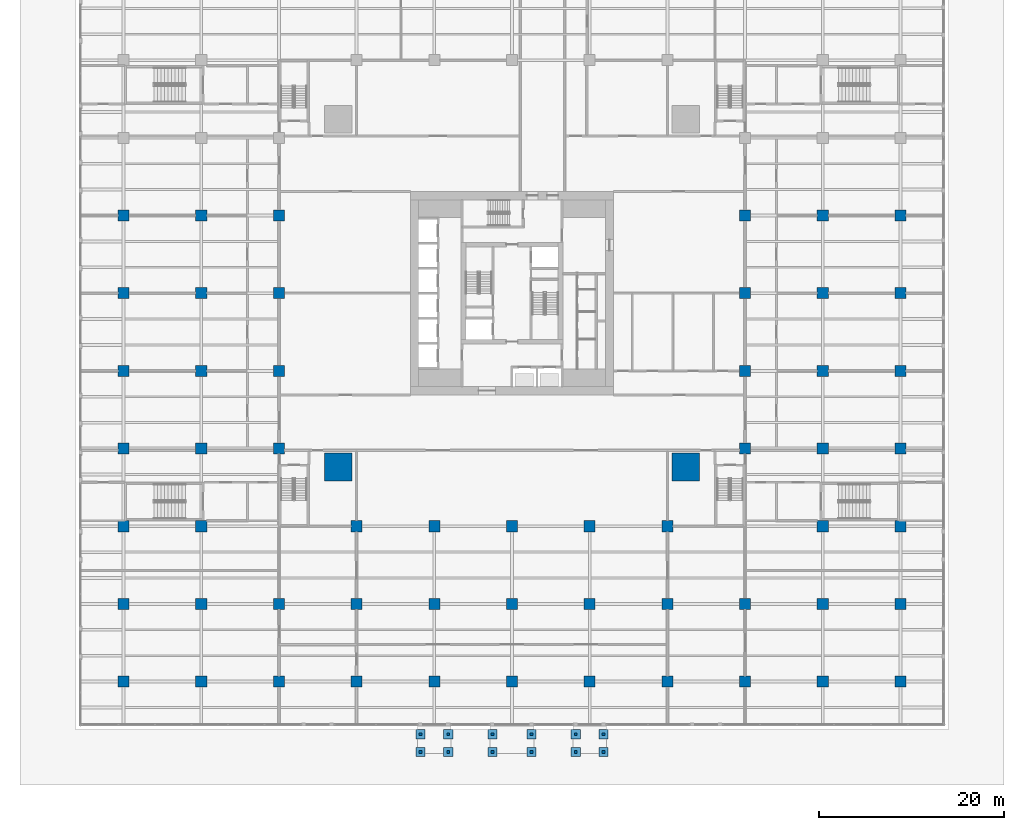
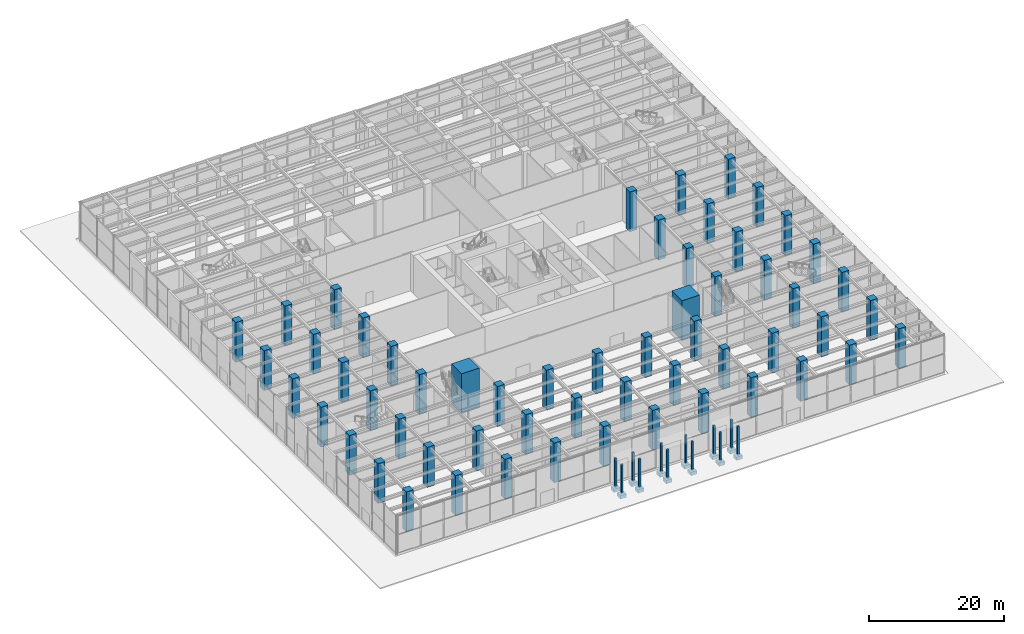
# One storey, part 1 of 43: 69 columns, 12 footings.
"""IFC4 building model written with IfcOpenShell, lengths in metres."""

from ifc_helpers import new_model, si_unit, direction, frame, origin, origin_2d, place, context, subcontext, project, spatial, rectangle, extrude, material, material_profile, profile_set, type_object, element, save


model = new_model("IFC4")

# Units and contexts
model_context = context("Model", 3, precision=1e-05, world=origin(), true_north=direction((0.0, 1.0)))
body_context = subcontext(model_context, "Body", "Model", "MODEL_VIEW")
ifc_project = project(units=[si_unit("LENGTHUNIT", "METRE"), si_unit("AREAUNIT", "SQUARE_METRE"), si_unit("VOLUMEUNIT", "CUBIC_METRE"), si_unit("PLANEANGLEUNIT", "RADIAN"), si_unit("MASSUNIT", "GRAM", prefix="KILO")], contexts=[model_context])

# Site, building, storey
site_placement = place(None, origin())
site = spatial("IfcSite", under=ifc_project, at=site_placement, CompositionType="ELEMENT")
building_placement = place(site_placement, origin())
building = spatial("IfcBuilding", under=site, at=building_placement, Name="Khepri Terraces", CompositionType="ELEMENT")
storey_placement = place(building_placement, origin())
storey = spatial("IfcBuildingStorey", under=building, at=storey_placement, Name="L00", CompositionType="ELEMENT", Elevation=0.0)

# Footings
ifc_material_1 = material(Name="Concrete C45/55", Category="concrete")
footing_type = type_object("IfcFootingType", Name="FTG-CANOPY-PAD-1000", PredefinedType="PAD_FOOTING", material=ifc_material_1)
for number, where, z_axis, x_axis, name in (
    (1, (-9.89990234375, -47.699951171875, -0.800048828125), (0.0, 0.0, 1.0), (1.0, 0.0, 0.0), "Canopy pad footing S"),
    (2, (-9.89990234375, -49.60009765625, -0.800048828125), (0.0, 0.0, 1.0), (1.0, 0.0, 0.0), "Canopy pad footing S"),
    (3, (-6.89990234375, -47.699951171875, -0.800048828125), (0.0, 0.0, 1.0), (1.0, 0.0, 0.0), "Canopy pad footing S"),
    (4, (-6.89990234375, -49.60009765625, -0.800048828125), (0.0, 0.0, 1.0), (1.0, 0.0, 0.0), "Canopy pad footing S"),
    (5, (-2.10009765625, -47.699951171875, -0.800048828125), (0.0, 0.0, 1.0), (1.0, 0.0, 0.0), "Canopy pad footing S"),
    (6, (-2.10009765625, -49.60009765625, -0.800048828125), (0.0, 0.0, 1.0), (1.0, 0.0, 0.0), "Canopy pad footing S"),
    (7, (2.10009765625, -47.699951171875, -0.800048828125), (0.0, 0.0, 1.0), (1.0, 0.0, 0.0), "Canopy pad footing S"),
    (8, (2.10009765625, -49.60009765625, -0.800048828125), (0.0, 0.0, 1.0), (1.0, 0.0, 0.0), "Canopy pad footing S"),
    (9, (6.89990234375, -47.699951171875, -0.800048828125), (0.0, 0.0, 1.0), (1.0, 0.0, 0.0), "Canopy pad footing S"),
    (10, (6.89990234375, -49.60009765625, -0.800048828125), (0.0, 0.0, 1.0), (1.0, 0.0, 0.0), "Canopy pad footing S"),
    (11, (9.89990234375, -47.699951171875, -0.800048828125), (0.0, 0.0, 1.0), (1.0, 0.0, 0.0), "Canopy pad footing S"),
    (12, (9.89990234375, -49.60009765625, -0.800048828125), (0.0, 0.0, 1.0), (1.0, 0.0, 0.0), "Canopy pad footing S"),
):
    element("IfcFooting", number, at=place(storey_placement, frame(where, z_axis=z_axis, x_axis=x_axis)), inside=storey, type_object=footing_type, Name=name, PredefinedType="PAD_FOOTING", context=body_context, shape_type="SweptSolid", body=[
        extrude(rectangle(XDim=1.0, YDim=1.0, at=origin_2d()), origin(), (0.0, 0.0, 1.0), 0.60009765625),
    ])

# Columns
ifc_material_2 = material(Name="Concrete C40/50", Category="concrete")
ifc_material_profile_1 = material_profile(ifc_material_2, rectangle(XDim=0.300048828125, YDim=0.300048828125, at=origin_2d()), Name="Concrete C40/50", Category="concrete")
ifc_profile_set_1 = profile_set([ifc_material_profile_1], Name="Concrete C40/50")
column_type_1 = type_object("IfcColumnType", Name="COL-CANOPY-300", PredefinedType="COLUMN", material=ifc_profile_set_1)
for number, where, z_axis, x_axis, name in (
    (13, (-9.89990234375, -47.699951171875, -0.199951171875), (0.0, 0.0, 1.0), (1.0, 0.0, 0.0), "Podium column canopy S"),
    (14, (-9.89990234375, -49.60009765625, -0.199951171875), (0.0, 0.0, 1.0), (1.0, 0.0, 0.0), "Podium column canopy S"),
    (15, (-6.89990234375, -47.699951171875, -0.199951171875), (0.0, 0.0, 1.0), (1.0, 0.0, 0.0), "Podium column canopy S"),
    (16, (-6.89990234375, -49.60009765625, -0.199951171875), (0.0, 0.0, 1.0), (1.0, 0.0, 0.0), "Podium column canopy S"),
    (17, (-2.10009765625, -47.699951171875, -0.199951171875), (0.0, 0.0, 1.0), (1.0, 0.0, 0.0), "Podium column canopy S"),
    (18, (-2.10009765625, -49.60009765625, -0.199951171875), (0.0, 0.0, 1.0), (1.0, 0.0, 0.0), "Podium column canopy S"),
    (19, (2.10009765625, -47.699951171875, -0.199951171875), (0.0, 0.0, 1.0), (1.0, 0.0, 0.0), "Podium column canopy S"),
    (20, (2.10009765625, -49.60009765625, -0.199951171875), (0.0, 0.0, 1.0), (1.0, 0.0, 0.0), "Podium column canopy S"),
    (21, (6.89990234375, -47.699951171875, -0.199951171875), (0.0, 0.0, 1.0), (1.0, 0.0, 0.0), "Podium column canopy S"),
    (22, (6.89990234375, -49.60009765625, -0.199951171875), (0.0, 0.0, 1.0), (1.0, 0.0, 0.0), "Podium column canopy S"),
    (23, (9.89990234375, -47.699951171875, -0.199951171875), (0.0, 0.0, 1.0), (1.0, 0.0, 0.0), "Podium column canopy S"),
    (24, (9.89990234375, -49.60009765625, -0.199951171875), (0.0, 0.0, 1.0), (1.0, 0.0, 0.0), "Podium column canopy S"),
):
    element("IfcColumn", number, at=place(storey_placement, frame(where, z_axis=z_axis, x_axis=x_axis)), inside=storey, type_object=column_type_1, Name=name, PredefinedType="COLUMN", context=body_context, shape_type="SweptSolid", body=[
        extrude(rectangle(XDim=0.300048828125, YDim=0.300048828125, at=origin_2d()), origin(), (0.0, 0.0, 1.0), 5.199951171875),
    ])
ifc_material_3 = material(Name="Concrete C80/95", Category="concrete")
ifc_material_profile_2 = material_profile(ifc_material_3, rectangle(XDim=3.0, YDim=3.0, at=origin_2d()), Name="Concrete C80/95", Category="concrete")
ifc_profile_set_2 = profile_set([ifc_material_profile_2], Name="Concrete C80/95")
column_type_2 = type_object("IfcColumnType", Name="Mega column RC 3000x3000 C80/95", PredefinedType="COLUMN", material=ifc_profile_set_2)
for number, where, z_axis, x_axis, name in (
    (25, (18.800048828125, -18.800048828125, 0.0), (0.0, 0.0, 1.0), (1.0, 0.0, 0.0), "Mega column MES L00"),
    (26, (-18.800048828125, -18.800048828125, 0.0), (0.0, 0.0, 1.0), (1.0, 0.0, 0.0), "Mega column MWS L00"),
):
    element("IfcColumn", number, at=place(storey_placement, frame(where, z_axis=z_axis, x_axis=x_axis)), inside=storey, type_object=column_type_2, Name=name, PredefinedType="COLUMN", context=body_context, shape_type="SweptSolid", body=[
        extrude(rectangle(XDim=3.0, YDim=3.0, at=origin_2d()), origin(), (0.0, 0.0, 1.0), 7.199951171875),
    ])
ifc_material_4 = material(Name="Concrete C60/75", Category="concrete")
ifc_material_profile_3 = material_profile(ifc_material_4, rectangle(XDim=1.199951171875, YDim=1.199951171875, at=origin_2d()), Name="Concrete C60/75", Category="concrete")
ifc_profile_set_3 = profile_set([ifc_material_profile_3], Name="Concrete C60/75")
column_type_3 = type_object("IfcColumnType", Name="Podium column RC 1200x1200 C60/75", PredefinedType="COLUMN", material=ifc_profile_set_3)
for number, where, z_axis, x_axis, name in (
    (27, (0.0, -33.60009765625, 0.0), (0.0, 0.0, 1.0), (1.0, 0.0, 0.0), "Podium column G+000-336 L00"),
    (28, (0.0, -42.0, 0.0), (0.0, 0.0, 1.0), (1.0, 0.0, 0.0), "Podium column G+000-420 L00"),
    (29, (8.39990234375, -33.60009765625, 0.0), (0.0, 0.0, 1.0), (1.0, 0.0, 0.0), "Podium column G+084-336 L00"),
    (30, (8.39990234375, -42.0, 0.0), (0.0, 0.0, 1.0), (1.0, 0.0, 0.0), "Podium column G+084-420 L00"),
    (31, (16.800048828125, -33.60009765625, 0.0), (0.0, 0.0, 1.0), (1.0, 0.0, 0.0), "Podium column G+168-336 L00"),
    (32, (16.800048828125, -42.0, 0.0), (0.0, 0.0, 1.0), (1.0, 0.0, 0.0), "Podium column G+168-420 L00"),
    (33, (25.199951171875, -33.60009765625, 0.0), (0.0, 0.0, 1.0), (1.0, 0.0, 0.0), "Podium column G+252-336 L00"),
    (34, (25.199951171875, -42.0, 0.0), (0.0, 0.0, 1.0), (1.0, 0.0, 0.0), "Podium column G+252-420 L00"),
    (35, (33.60009765625, 0.0, 0.0), (0.0, 0.0, 1.0), (1.0, 0.0, 0.0), "Podium column G+336+000 L00"),
    (36, (33.60009765625, 8.39990234375, 0.0), (0.0, 0.0, 1.0), (1.0, 0.0, 0.0), "Podium column G+336+084 L00"),
    (37, (33.60009765625, -8.39990234375, 0.0), (0.0, 0.0, 1.0), (1.0, 0.0, 0.0), "Podium column G+336-084 L00"),
    (38, (33.60009765625, -16.800048828125, 0.0), (0.0, 0.0, 1.0), (1.0, 0.0, 0.0), "Podium column G+336-168 L00"),
    (39, (33.60009765625, -25.199951171875, 0.0), (0.0, 0.0, 1.0), (1.0, 0.0, 0.0), "Podium column G+336-252 L00"),
    (40, (33.60009765625, -33.60009765625, 0.0), (0.0, 0.0, 1.0), (1.0, 0.0, 0.0), "Podium column G+336-336 L00"),
    (41, (33.60009765625, -42.0, 0.0), (0.0, 0.0, 1.0), (1.0, 0.0, 0.0), "Podium column G+336-420 L00"),
    (42, (42.0, 0.0, 0.0), (0.0, 0.0, 1.0), (1.0, 0.0, 0.0), "Podium column G+420+000 L00"),
    (43, (42.0, 8.39990234375, 0.0), (0.0, 0.0, 1.0), (1.0, 0.0, 0.0), "Podium column G+420+084 L00"),
    (44, (42.0, -8.39990234375, 0.0), (0.0, 0.0, 1.0), (1.0, 0.0, 0.0), "Podium column G+420-084 L00"),
    (45, (42.0, -16.800048828125, 0.0), (0.0, 0.0, 1.0), (1.0, 0.0, 0.0), "Podium column G+420-168 L00"),
    (46, (42.0, -25.199951171875, 0.0), (0.0, 0.0, 1.0), (1.0, 0.0, 0.0), "Podium column G+420-252 L00"),
    (47, (42.0, -33.60009765625, 0.0), (0.0, 0.0, 1.0), (1.0, 0.0, 0.0), "Podium column G+420-336 L00"),
    (48, (42.0, -42.0, 0.0), (0.0, 0.0, 1.0), (1.0, 0.0, 0.0), "Podium column G+420-420 L00"),
    (49, (-8.39990234375, -33.60009765625, 0.0), (0.0, 0.0, 1.0), (1.0, 0.0, 0.0), "Podium column G-084-336 L00"),
    (50, (-8.39990234375, -42.0, 0.0), (0.0, 0.0, 1.0), (1.0, 0.0, 0.0), "Podium column G-084-420 L00"),
    (51, (-16.800048828125, -33.60009765625, 0.0), (0.0, 0.0, 1.0), (1.0, 0.0, 0.0), "Podium column G-168-336 L00"),
    (52, (-16.800048828125, -42.0, 0.0), (0.0, 0.0, 1.0), (1.0, 0.0, 0.0), "Podium column G-168-420 L00"),
    (53, (-25.199951171875, -33.60009765625, 0.0), (0.0, 0.0, 1.0), (1.0, 0.0, 0.0), "Podium column G-252-336 L00"),
    (54, (-25.199951171875, -42.0, 0.0), (0.0, 0.0, 1.0), (1.0, 0.0, 0.0), "Podium column G-252-420 L00"),
    (55, (-33.60009765625, 0.0, 0.0), (0.0, 0.0, 1.0), (1.0, 0.0, 0.0), "Podium column G-336+000 L00"),
    (56, (-33.60009765625, 8.39990234375, 0.0), (0.0, 0.0, 1.0), (1.0, 0.0, 0.0), "Podium column G-336+084 L00"),
    (57, (-33.60009765625, -8.39990234375, 0.0), (0.0, 0.0, 1.0), (1.0, 0.0, 0.0), "Podium column G-336-084 L00"),
    (58, (-33.60009765625, -16.800048828125, 0.0), (0.0, 0.0, 1.0), (1.0, 0.0, 0.0), "Podium column G-336-168 L00"),
    (59, (-33.60009765625, -25.199951171875, 0.0), (0.0, 0.0, 1.0), (1.0, 0.0, 0.0), "Podium column G-336-252 L00"),
    (60, (-33.60009765625, -33.60009765625, 0.0), (0.0, 0.0, 1.0), (1.0, 0.0, 0.0), "Podium column G-336-336 L00"),
    (61, (-33.60009765625, -42.0, 0.0), (0.0, 0.0, 1.0), (1.0, 0.0, 0.0), "Podium column G-336-420 L00"),
    (62, (-42.0, 0.0, 0.0), (0.0, 0.0, 1.0), (1.0, 0.0, 0.0), "Podium column G-420+000 L00"),
    (63, (-42.0, 8.39990234375, 0.0), (0.0, 0.0, 1.0), (1.0, 0.0, 0.0), "Podium column G-420+084 L00"),
    (64, (-42.0, -8.39990234375, 0.0), (0.0, 0.0, 1.0), (1.0, 0.0, 0.0), "Podium column G-420-084 L00"),
    (65, (-42.0, -16.800048828125, 0.0), (0.0, 0.0, 1.0), (1.0, 0.0, 0.0), "Podium column G-420-168 L00"),
    (66, (-42.0, -25.199951171875, 0.0), (0.0, 0.0, 1.0), (1.0, 0.0, 0.0), "Podium column G-420-252 L00"),
    (67, (-42.0, -33.60009765625, 0.0), (0.0, 0.0, 1.0), (1.0, 0.0, 0.0), "Podium column G-420-336 L00"),
    (68, (-42.0, -42.0, 0.0), (0.0, 0.0, 1.0), (1.0, 0.0, 0.0), "Podium column G-420-420 L00"),
):
    element("IfcColumn", number, at=place(storey_placement, frame(where, z_axis=z_axis, x_axis=x_axis)), inside=storey, type_object=column_type_3, Name=name, PredefinedType="COLUMN", context=body_context, shape_type="SweptSolid", body=[
        extrude(rectangle(XDim=1.199951171875, YDim=1.199951171875, at=origin_2d()), origin(), (0.0, 0.0, 1.0), 7.199951171875),
    ])
ifc_material_profile_4 = material_profile(ifc_material_3, rectangle(XDim=1.199951171875, YDim=1.199951171875, at=origin_2d()), Name="Concrete C80/95", Category="concrete")
ifc_profile_set_4 = profile_set([ifc_material_profile_4], Name="Concrete C80/95")
column_type_4 = type_object("IfcColumnType", Name="Tower column RC 1200x1200 C80/95", PredefinedType="COLUMN", material=ifc_profile_set_4)
for number, where, z_axis, x_axis, name in (
    (69, (25.199951171875, 0.0, 0.0), (0.0, 0.0, 1.0), (1.0, 0.0, 0.0), "Perimeter column PE+000a L00"),
    (70, (25.199951171875, 8.39990234375, 0.0), (0.0, 0.0, 1.0), (1.0, 0.0, 0.0), "Perimeter column PE+084a L00"),
    (71, (25.199951171875, -8.39990234375, 0.0), (0.0, 0.0, 1.0), (1.0, 0.0, 0.0), "Perimeter column PE-084a L00"),
    (72, (25.199951171875, -16.800048828125, 0.0), (0.0, 0.0, 1.0), (1.0, 0.0, 0.0), "Perimeter column PE-168a L00"),
    (73, (0.0, -25.199951171875, 0.0), (0.0, 0.0, 1.0), (1.0, 0.0, 0.0), "Perimeter column PS+000a L00"),
    (74, (8.39990234375, -25.199951171875, 0.0), (0.0, 0.0, 1.0), (1.0, 0.0, 0.0), "Perimeter column PS+084a L00"),
    (75, (16.800048828125, -25.199951171875, 0.0), (0.0, 0.0, 1.0), (1.0, 0.0, 0.0), "Perimeter column PS+168a L00"),
    (76, (-8.39990234375, -25.199951171875, 0.0), (0.0, 0.0, 1.0), (1.0, 0.0, 0.0), "Perimeter column PS-084a L00"),
    (77, (-16.800048828125, -25.199951171875, 0.0), (0.0, 0.0, 1.0), (1.0, 0.0, 0.0), "Perimeter column PS-168a L00"),
    (78, (-25.199951171875, 0.0, 0.0), (0.0, 0.0, 1.0), (1.0, 0.0, 0.0), "Perimeter column PW+000a L00"),
    (79, (-25.199951171875, -8.39990234375, 0.0), (0.0, 0.0, 1.0), (1.0, 0.0, 0.0), "Perimeter column PW+084a L00"),
    (80, (-25.199951171875, -16.800048828125, 0.0), (0.0, 0.0, 1.0), (1.0, 0.0, 0.0), "Perimeter column PW+168a L00"),
    (81, (-25.199951171875, 8.39990234375, 0.0), (0.0, 0.0, 1.0), (1.0, 0.0, 0.0), "Perimeter column PW-084a L00"),
):
    element("IfcColumn", number, at=place(storey_placement, frame(where, z_axis=z_axis, x_axis=x_axis)), inside=storey, type_object=column_type_4, Name=name, PredefinedType="COLUMN", context=body_context, shape_type="SweptSolid", body=[
        extrude(rectangle(XDim=1.199951171875, YDim=1.199951171875, at=origin_2d()), origin(), (0.0, 0.0, 1.0), 7.199951171875),
    ])

save(model, "model.ifc")
